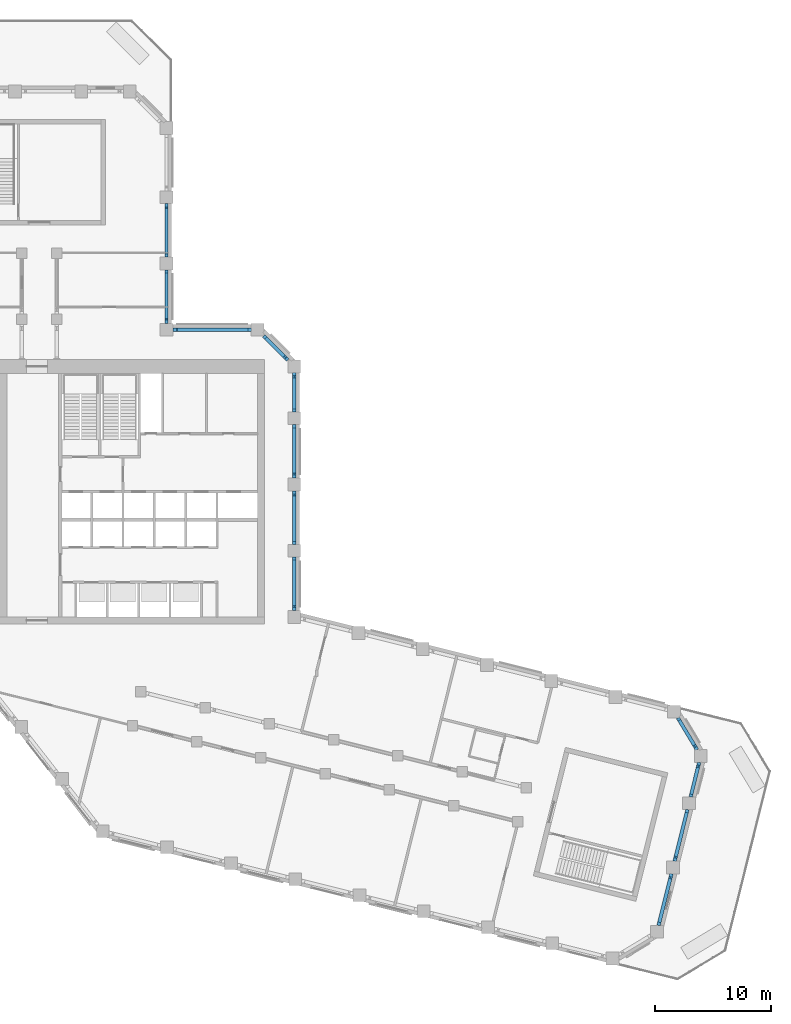
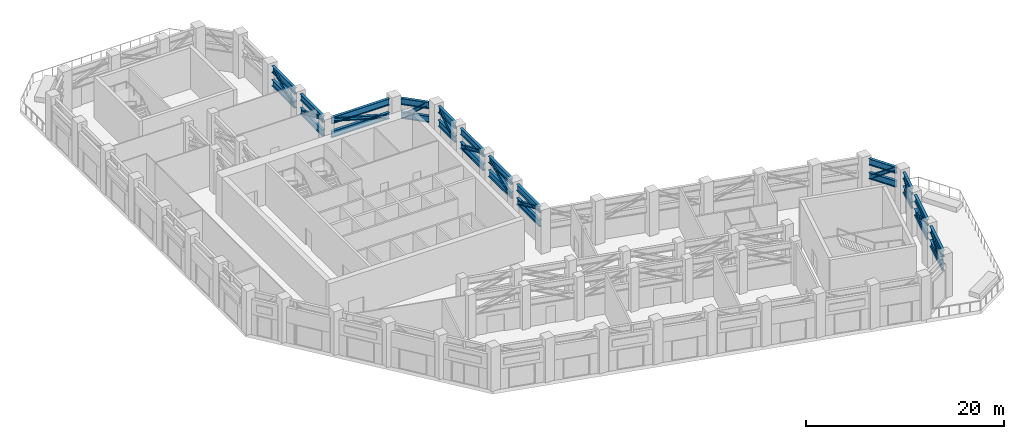
# One storey, part 7 of 21: 24 beams, 12 members.
"""IFC4 building model written with IfcOpenShell, lengths in metres."""

from ifc_helpers import new_model, si_unit, direction, frame, origin, origin_2d, place, context, subcontext, project, spatial, i_section, extrude, material, material_profile, profile_set, type_object, element, save


model = new_model("IFC4")

# Units and contexts
model_context = context("Model", 3, precision=1e-05, world=origin(), true_north=direction((0.0, 1.0)))
body_context = subcontext(model_context, "Body", "Model", "MODEL_VIEW")
ifc_project = project(units=[si_unit("LENGTHUNIT", "METRE"), si_unit("AREAUNIT", "SQUARE_METRE"), si_unit("VOLUMEUNIT", "CUBIC_METRE"), si_unit("PLANEANGLEUNIT", "RADIAN"), si_unit("MASSUNIT", "GRAM", prefix="KILO")], contexts=[model_context])

# Site, building, storey
site_placement = place(None, origin())
site = spatial("IfcSite", under=ifc_project, at=site_placement, CompositionType="ELEMENT")
building_placement = place(site_placement, origin())
building = spatial("IfcBuilding", under=site, at=building_placement, Name="Meshkara Civic Tower", CompositionType="ELEMENT")
storey_placement = place(building_placement, frame((0.0, 0.0, 284.39990234375)))
storey = spatial("IfcBuildingStorey", under=building, at=storey_placement, Name="L65", CompositionType="ELEMENT", Elevation=284.39990234375)

# Beams
ifc_material_1 = material(Name="Steel S355", Category="steel")
ifc_material_profile_1 = material_profile(ifc_material_1, i_section(OverallWidth=0.300048828125, OverallDepth=0.800048828125, WebThickness=0.017578125, FlangeThickness=0.032958984375, FilletRadius=0.030029296875, at=origin_2d()))
ifc_profile_set_1 = profile_set([ifc_material_profile_1], Name="Steel S355")
beam_type = type_object("IfcBeamType", Name="Belt truss chord HEB 800 S355", PredefinedType="BEAM", material=ifc_profile_set_1)
for number, where, z_axis, x_axis, name in (
    (1, (33.35009765625, 15.263916015625, 4.7001953125), (0.0, 1.0, 0.0), (-1.0, 0.0, 0.0), "Belt truss chord BHE00-HE01"),
    (2, (33.35009765625, 15.263916015625, 3.0), (0.0, 1.0, 0.0), (-1.0, 0.0, 0.0), "Belt truss chord BHE00-HE01"),
):
    element("IfcBeam", number, at=place(storey_placement, frame(where, z_axis=z_axis, x_axis=x_axis)), inside=storey, type_object=beam_type, Name=name, PredefinedType="BEAM", context=body_context, shape_type="SweptSolid", body=[
        extrude(i_section(OverallWidth=0.300048828125, OverallDepth=0.800048828125, WebThickness=0.017578125, FlangeThickness=0.032958984375, FilletRadius=0.030029296875, at=origin_2d()), origin(), (0.0, 0.0, 1.0), 4.610107421875),
    ])
for number, where, z_axis, x_axis, name in (
    (3, (33.35009765625, 20.964111328125, 4.7001953125), (0.0, 1.0, 0.0), (-1.0, 0.0, 0.0), "Belt truss chord BHE01-HE02"),
    (4, (33.35009765625, 20.964111328125, 3.0), (0.0, 1.0, 0.0), (-1.0, 0.0, 0.0), "Belt truss chord BHE01-HE02"),
    (5, (33.35009765625, 26.6640625, 4.7001953125), (0.0, 1.0, 0.0), (-1.0, 0.0, 0.0), "Belt truss chord BHE02-HE03"),
    (6, (33.35009765625, 26.6640625, 3.0), (0.0, 1.0, 0.0), (-1.0, 0.0, 0.0), "Belt truss chord BHE02-HE03"),
):
    element("IfcBeam", number, at=place(storey_placement, frame(where, z_axis=z_axis, x_axis=x_axis)), inside=storey, type_object=beam_type, Name=name, PredefinedType="BEAM", context=body_context, shape_type="SweptSolid", body=[
        extrude(i_section(OverallWidth=0.300048828125, OverallDepth=0.800048828125, WebThickness=0.017578125, FlangeThickness=0.032958984375, FilletRadius=0.030029296875, at=origin_2d()), origin(), (0.0, 0.0, 1.0), 4.60986328125),
    ])
for number, where, z_axis, x_axis, name in (
    (7, (33.35009765625, 32.364013671875, 4.7001953125), (0.0, 1.0, 0.0), (-1.0, 0.0, 0.0), "Belt truss chord BHE03-HEE"),
    (8, (33.35009765625, 32.364013671875, 3.0), (0.0, 1.0, 0.0), (-1.0, 0.0, 0.0), "Belt truss chord BHE03-HEE"),
):
    element("IfcBeam", number, at=place(storey_placement, frame(where, z_axis=z_axis, x_axis=x_axis)), inside=storey, type_object=beam_type, Name=name, PredefinedType="BEAM", context=body_context, shape_type="SweptSolid", body=[
        extrude(i_section(OverallWidth=0.300048828125, OverallDepth=0.800048828125, WebThickness=0.017578125, FlangeThickness=0.032958984375, FilletRadius=0.030029296875, at=origin_2d()), origin(), (0.0, 0.0, 1.0), 3.385009765625),
    ])
for number, where, z_axis, x_axis, name in (
    (9, (32.803466796875, 36.840576171875, 4.7001953125), (-0.707106781187, 0.707106781187, 0.0), (-0.707106781187, -0.707106781187, 0.0), "Belt truss chord BHEE-HCeE"),
    (10, (32.803466796875, 36.840576171875, 3.0), (-0.707106781187, 0.707106781187, 0.0), (-0.707106781187, -0.707106781187, 0.0), "Belt truss chord BHEE-HCeE"),
):
    element("IfcBeam", number, at=place(storey_placement, frame(where, z_axis=z_axis, x_axis=x_axis)), inside=storey, type_object=beam_type, Name=name, PredefinedType="BEAM", context=body_context, shape_type="SweptSolid", body=[
        extrude(i_section(OverallWidth=0.300048828125, OverallDepth=0.800048828125, WebThickness=0.017578125, FlangeThickness=0.032958984375, FilletRadius=0.030029296875, at=origin_2d()), origin(), (0.0, 0.0, 1.0), 2.91748046875),
    ])
for number, where, z_axis, x_axis, name in (
    (11, (29.64892578125, 39.449951171875, 4.7001953125), (-1.0, 0.0, 0.0), (0.0, -1.0, 0.0), "Belt truss chord BHCeE-HN00"),
    (12, (29.64892578125, 39.449951171875, 3.0), (-1.0, 0.0, 0.0), (0.0, -1.0, 0.0), "Belt truss chord BHCeE-HN00"),
):
    element("IfcBeam", number, at=place(storey_placement, frame(where, z_axis=z_axis, x_axis=x_axis)), inside=storey, type_object=beam_type, Name=name, PredefinedType="BEAM", context=body_context, shape_type="SweptSolid", body=[
        extrude(i_section(OverallWidth=0.300048828125, OverallDepth=0.800048828125, WebThickness=0.017578125, FlangeThickness=0.032958984375, FilletRadius=0.030029296875, at=origin_2d()), origin(), (0.0, 0.0, 1.0), 6.75390625),
    ])
for number, where, z_axis, x_axis, name in (
    (13, (22.35009765625, 39.9951171875, 4.7001953125), (0.0, 1.0, 0.0), (-1.0, 0.0, 0.0), "Belt truss chord BHN00-AE01"),
    (14, (22.35009765625, 39.9951171875, 3.0), (0.0, 1.0, 0.0), (-1.0, 0.0, 0.0), "Belt truss chord BHN00-AE01"),
    (15, (22.35009765625, 45.695068359375, 4.7001953125), (0.0, 1.0, 0.0), (-1.0, 0.0, 0.0), "Belt truss chord BAE01-AE02"),
    (16, (22.35009765625, 45.695068359375, 3.0), (0.0, 1.0, 0.0), (-1.0, 0.0, 0.0), "Belt truss chord BAE01-AE02"),
):
    element("IfcBeam", number, at=place(storey_placement, frame(where, z_axis=z_axis, x_axis=x_axis)), inside=storey, type_object=beam_type, Name=name, PredefinedType="BEAM", context=body_context, shape_type="SweptSolid", body=[
        extrude(i_section(OverallWidth=0.300048828125, OverallDepth=0.800048828125, WebThickness=0.017578125, FlangeThickness=0.032958984375, FilletRadius=0.030029296875, at=origin_2d()), origin(), (0.0, 0.0, 1.0), 4.60986328125),
    ])
for number, where, z_axis, x_axis, name in (
    (17, (64.726806640625, -11.841796875, 4.7001953125), (0.24192053738, 0.970296064917, 0.0), (-0.970296064917, 0.24192053738, 0.0), "Belt truss chord BBToEP4-BT01-P4"),
    (18, (64.726806640625, -11.841796875, 3.0), (0.24192053738, 0.970296064917, 0.0), (-0.970296064917, 0.24192053738, 0.0), "Belt truss chord BBToEP4-BT01-P4"),
):
    element("IfcBeam", number, at=place(storey_placement, frame(where, z_axis=z_axis, x_axis=x_axis)), inside=storey, type_object=beam_type, Name=name, PredefinedType="BEAM", context=body_context, shape_type="SweptSolid", body=[
        extrude(i_section(OverallWidth=0.300048828125, OverallDepth=0.800048828125, WebThickness=0.017578125, FlangeThickness=0.032958984375, FilletRadius=0.030029296875, at=origin_2d()), origin(), (0.0, 0.0, 1.0), 4.57666015625),
    ])
for number, where, z_axis, x_axis, name in (
    (19, (66.10595703125, -6.310791015625, 4.7001953125), (0.241970635286, 0.970283572807, 0.0), (-0.970283572807, 0.241970635286, 0.0), "Belt truss chord BBT01-P4-BT02-P4"),
    (20, (66.10595703125, -6.310791015625, 3.0), (0.241970635286, 0.970283572807, 0.0), (-0.970283572807, 0.241970635286, 0.0), "Belt truss chord BBT01-P4-BT02-P4"),
):
    element("IfcBeam", number, at=place(storey_placement, frame(where, z_axis=z_axis, x_axis=x_axis)), inside=storey, type_object=beam_type, Name=name, PredefinedType="BEAM", context=body_context, shape_type="SweptSolid", body=[
        extrude(i_section(OverallWidth=0.300048828125, OverallDepth=0.800048828125, WebThickness=0.017578125, FlangeThickness=0.032958984375, FilletRadius=0.030029296875, at=origin_2d()), origin(), (0.0, 0.0, 1.0), 4.57568359375),
    ])
for number, where, z_axis, x_axis, name in (
    (21, (67.485107421875, -0.781005859375, 4.7001953125), (0.241916659138, 0.970297031858, 0.0), (-0.970297031858, 0.241916659138, 0.0), "Belt truss chord BBT02-P4-BTEP4"),
    (22, (67.485107421875, -0.781005859375, 3.0), (0.241916659138, 0.970297031858, 0.0), (-0.970297031858, 0.241916659138, 0.0), "Belt truss chord BBT02-P4-BTEP4"),
):
    element("IfcBeam", number, at=place(storey_placement, frame(where, z_axis=z_axis, x_axis=x_axis)), inside=storey, type_object=beam_type, Name=name, PredefinedType="BEAM", context=body_context, shape_type="SweptSolid", body=[
        extrude(i_section(OverallWidth=0.300048828125, OverallDepth=0.800048828125, WebThickness=0.017578125, FlangeThickness=0.032958984375, FilletRadius=0.030029296875, at=origin_2d()), origin(), (0.0, 0.0, 1.0), 3.06298828125),
    ])
for number, where, z_axis, x_axis, name in (
    (23, (68.0341796875, 3.28173828125, 4.7001953125), (-0.515080816622, 0.85714161744, 0.0), (-0.85714161744, -0.515080816622, 0.0), "Belt truss chord BBTEP4-BTi00-P4"),
    (24, (68.0341796875, 3.28173828125, 3.0), (-0.515080816622, 0.85714161744, 0.0), (-0.85714161744, -0.515080816622, 0.0), "Belt truss chord BBTEP4-BTi00-P4"),
):
    element("IfcBeam", number, at=place(storey_placement, frame(where, z_axis=z_axis, x_axis=x_axis)), inside=storey, type_object=beam_type, Name=name, PredefinedType="BEAM", context=body_context, shape_type="SweptSolid", body=[
        extrude(i_section(OverallWidth=0.300048828125, OverallDepth=0.800048828125, WebThickness=0.017578125, FlangeThickness=0.032958984375, FilletRadius=0.030029296875, at=origin_2d()), origin(), (0.0, 0.0, 1.0), 3.1904296875),
    ])

# Members
ifc_material_2 = material(Name="Steel S355", Category="steel")
ifc_material_profile_2 = material_profile(ifc_material_2, i_section(OverallWidth=0.300048828125, OverallDepth=0.39990234375, WebThickness=0.013427734375, FlangeThickness=0.02392578125, FilletRadius=0.027099609375, at=origin_2d()))
ifc_profile_set_2 = profile_set([ifc_material_profile_2], Name="Steel S355")
member_type = type_object("IfcMemberType", Name="Truss diagonal HEB 400 S355", PredefinedType="BRACE", material=ifc_profile_set_2)
member_1_placement = place(storey_placement, frame((33.35009765625, 15.614013671875, 4.7001953125), z_axis=(0.0, 0.917050027072, -0.398772175368), x_axis=(-1.0, 0.0, 0.0)))
element("IfcMember", 25, at=member_1_placement, inside=storey, type_object=member_type, Name="TD-BHE00-HE01-L65", PredefinedType="BRACE", context=body_context, shape_type="SweptSolid", body=[
    extrude(i_section(OverallWidth=0.300048828125, OverallDepth=0.39990234375, WebThickness=0.013427734375, FlangeThickness=0.02392578125, FilletRadius=0.027099609375, at=origin_2d()), origin(), (0.0, 0.0, 1.0), 4.263671875),
])
for number, where, z_axis, x_axis, name in (
    (26, (33.35009765625, 21.31396484375, 3.0), (0.0, 0.917059132106, 0.398751236013), (-1.0, 0.0, 0.0), "TD-BHE01-HE02-L65"),
    (27, (33.35009765625, 27.013916015625, 4.7001953125), (0.0, 0.917059132106, -0.398751236013), (-1.0, 0.0, 0.0), "TD-BHE02-HE03-L65"),
):
    element("IfcMember", number, at=place(storey_placement, frame(where, z_axis=z_axis, x_axis=x_axis)), inside=storey, type_object=member_type, Name=name, PredefinedType="BRACE", context=body_context, shape_type="SweptSolid", body=[
        extrude(i_section(OverallWidth=0.300048828125, OverallDepth=0.39990234375, WebThickness=0.013427734375, FlangeThickness=0.02392578125, FilletRadius=0.027099609375, at=origin_2d()), origin(), (0.0, 0.0, 1.0), 4.263916015625),
    ])
member_2_placement = place(storey_placement, frame((33.35009765625, 32.714111328125, 3.0), z_axis=(0.0, 0.844845698276, 0.535010042993), x_axis=(-1.0, 0.0, 0.0)))
element("IfcMember", 28, at=member_2_placement, inside=storey, type_object=member_type, Name="TD-BHE03-HEE-L65", PredefinedType="BRACE", context=body_context, shape_type="SweptSolid", body=[
    extrude(i_section(OverallWidth=0.300048828125, OverallDepth=0.39990234375, WebThickness=0.013427734375, FlangeThickness=0.02392578125, FilletRadius=0.027099609375, at=origin_2d()), origin(), (0.0, 0.0, 1.0), 3.177978515625),
])
member_3_placement = place(storey_placement, frame((32.555908203125, 37.087890625, 4.7001953125), z_axis=(-0.56110493329, 0.561192305594, -0.608460721805), x_axis=(-0.707161828229, -0.707051729859, 0.0)))
element("IfcMember", 29, at=member_3_placement, inside=storey, type_object=member_type, Name="TD-BHEE-HCeE-L65", PredefinedType="BRACE", context=body_context, shape_type="SweptSolid", body=[
    extrude(i_section(OverallWidth=0.300048828125, OverallDepth=0.39990234375, WebThickness=0.013427734375, FlangeThickness=0.02392578125, FilletRadius=0.027099609375, at=origin_2d()), origin(), (0.0, 0.0, 1.0), 2.794189453125),
])
member_4_placement = place(storey_placement, frame((29.299072265625, 39.449951171875, 3.0), z_axis=(-0.962753643938, 0.0, 0.270380141807), x_axis=(0.0, -1.0, 0.0)))
element("IfcMember", 30, at=member_4_placement, inside=storey, type_object=member_type, Name="TD-BHCeE-HN00-L65", PredefinedType="BRACE", context=body_context, shape_type="SweptSolid", body=[
    extrude(i_section(OverallWidth=0.300048828125, OverallDepth=0.39990234375, WebThickness=0.013427734375, FlangeThickness=0.02392578125, FilletRadius=0.027099609375, at=origin_2d()), origin(), (0.0, 0.0, 1.0), 6.2880859375),
])
member_5_placement = place(storey_placement, frame((22.35009765625, 40.344970703125, 4.7001953125), z_axis=(0.0, 0.917050027072, -0.398772175368), x_axis=(-1.0, 0.0, 0.0)))
element("IfcMember", 31, at=member_5_placement, inside=storey, type_object=member_type, Name="TD-BHN00-AE01-L65", PredefinedType="BRACE", context=body_context, shape_type="SweptSolid", body=[
    extrude(i_section(OverallWidth=0.300048828125, OverallDepth=0.39990234375, WebThickness=0.013427734375, FlangeThickness=0.02392578125, FilletRadius=0.027099609375, at=origin_2d()), origin(), (0.0, 0.0, 1.0), 4.263671875),
])
member_6_placement = place(storey_placement, frame((22.35009765625, 46.044921875, 3.0), z_axis=(0.0, 0.917059132106, 0.398751236013), x_axis=(-1.0, 0.0, 0.0)))
element("IfcMember", 32, at=member_6_placement, inside=storey, type_object=member_type, Name="TD-BAE01-AE02-L65", PredefinedType="BRACE", context=body_context, shape_type="SweptSolid", body=[
    extrude(i_section(OverallWidth=0.300048828125, OverallDepth=0.39990234375, WebThickness=0.013427734375, FlangeThickness=0.02392578125, FilletRadius=0.027099609375, at=origin_2d()), origin(), (0.0, 0.0, 1.0), 4.263916015625),
])
member_7_placement = place(storey_placement, frame((64.8115234375, -11.502197265625, 3.0), z_axis=(0.221583990151, 0.8885852515, 0.401642609947), x_axis=(-0.97028680469, 0.241957675318, 0.0)))
element("IfcMember", 33, at=member_7_placement, inside=storey, type_object=member_type, Name="TD-BBToEP4-BT01-P4-L65", PredefinedType="BRACE", context=body_context, shape_type="SweptSolid", body=[
    extrude(i_section(OverallWidth=0.300048828125, OverallDepth=0.39990234375, WebThickness=0.013427734375, FlangeThickness=0.02392578125, FilletRadius=0.027099609375, at=origin_2d()), origin(), (0.0, 0.0, 1.0), 4.233154296875),
])
member_8_placement = place(storey_placement, frame((66.190673828125, -5.97119140625, 4.7001953125), z_axis=(0.221574568012, 0.888548052873, -0.401730094151), x_axis=(-0.970286842125, 0.241957525197, 0.0)))
element("IfcMember", 34, at=member_8_placement, inside=storey, type_object=member_type, Name="TD-BBT01-P4-BT02-P4-L65", PredefinedType="BRACE", context=body_context, shape_type="SweptSolid", body=[
    extrude(i_section(OverallWidth=0.300048828125, OverallDepth=0.39990234375, WebThickness=0.013427734375, FlangeThickness=0.02392578125, FilletRadius=0.027099609375, at=origin_2d()), origin(), (0.0, 0.0, 1.0), 4.232177734375),
])
member_9_placement = place(storey_placement, frame((67.569580078125, -0.44140625, 3.0), z_axis=(0.196416564957, 0.787595201328, 0.584049939522), x_axis=(-0.970282125472, 0.241976438915, 0.0)))
element("IfcMember", 35, at=member_9_placement, inside=storey, type_object=member_type, Name="TD-BBT02-P4-BTEP4-L65", PredefinedType="BRACE", context=body_context, shape_type="SweptSolid", body=[
    extrude(i_section(OverallWidth=0.300048828125, OverallDepth=0.39990234375, WebThickness=0.013427734375, FlangeThickness=0.02392578125, FilletRadius=0.027099609375, at=origin_2d()), origin(), (0.0, 0.0, 1.0), 2.9111328125),
])
member_10_placement = place(storey_placement, frame((67.853759765625, 3.581787109375, 4.7001953125), z_axis=(-0.425331784383, 0.707914675587, -0.563870273452), x_axis=(-0.857181341043, -0.515014707137, 0.0)))
element("IfcMember", 36, at=member_10_placement, inside=storey, type_object=member_type, Name="TD-BBTEP4-BTi00-P4-L65", PredefinedType="BRACE", context=body_context, shape_type="SweptSolid", body=[
    extrude(i_section(OverallWidth=0.300048828125, OverallDepth=0.39990234375, WebThickness=0.013427734375, FlangeThickness=0.02392578125, FilletRadius=0.027099609375, at=origin_2d()), origin(), (0.0, 0.0, 1.0), 3.01513671875),
])

save(model, "model.ifc")
